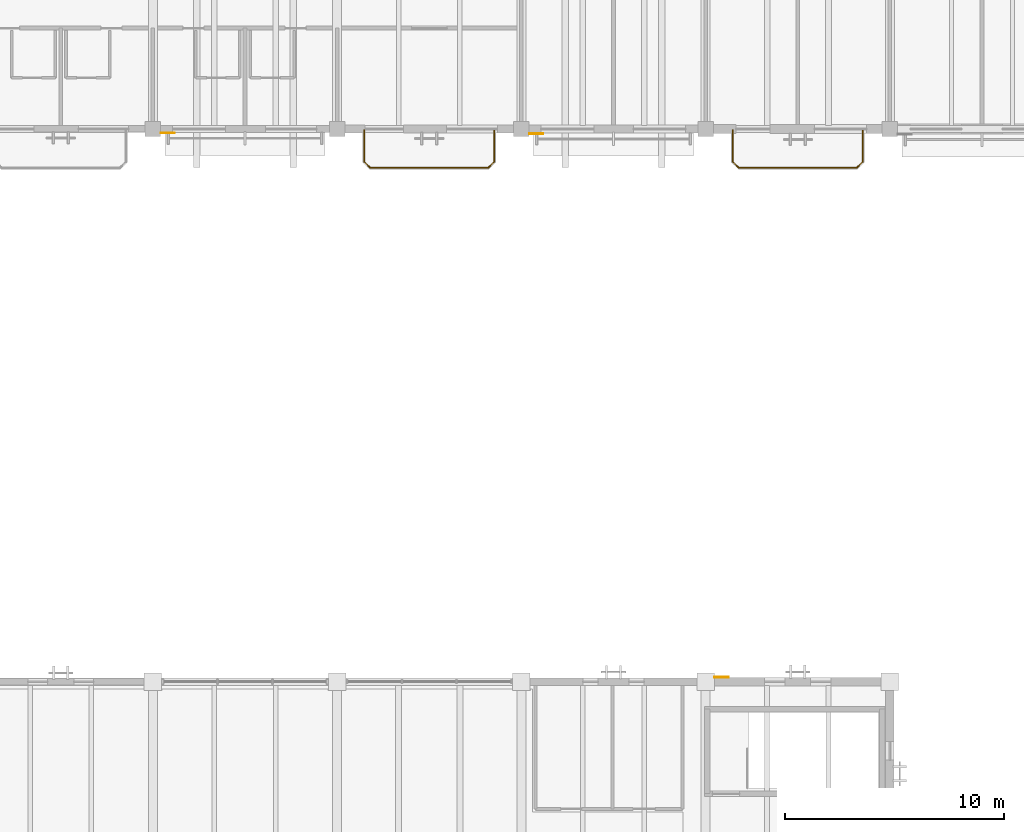
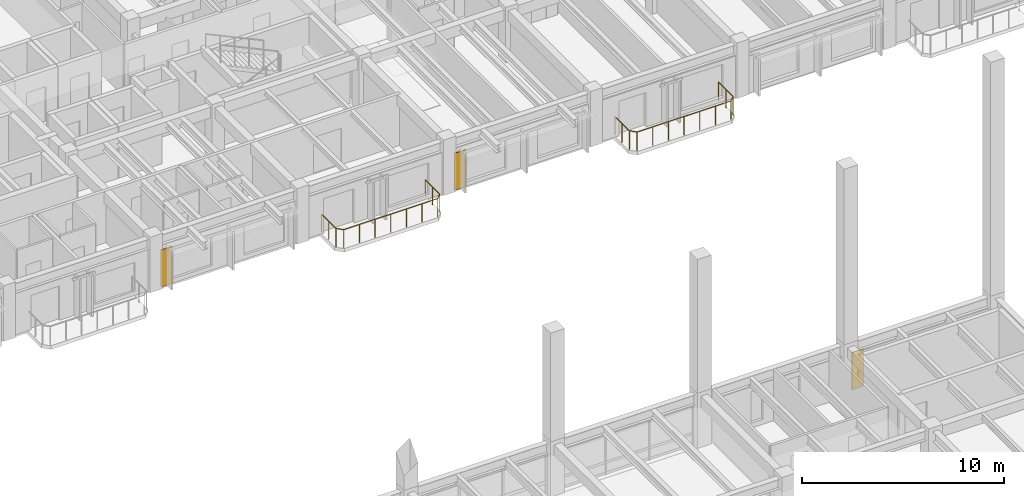
# One storey, part 59 of 64: 3 coverings, 2 railings.
"""IFC4 building model written with IfcOpenShell, lengths in metres."""

from ifc_helpers import new_model, si_unit, direction, frame, origin, origin_2d, place, context, subcontext, project, spatial, polyline, circle, outline, extrude, material, layer, layer_set, type_object, element, save


model = new_model("IFC4")

# Units and contexts
model_context = context("Model", 3, precision=1e-05, world=origin(), true_north=direction((0.0, 1.0)))
body_context = subcontext(model_context, "Body", "Model", "MODEL_VIEW")
ifc_project = project(units=[si_unit("LENGTHUNIT", "METRE"), si_unit("AREAUNIT", "SQUARE_METRE"), si_unit("VOLUMEUNIT", "CUBIC_METRE"), si_unit("PLANEANGLEUNIT", "RADIAN"), si_unit("MASSUNIT", "GRAM", prefix="KILO")], contexts=[model_context])

# Site, building, storey
site_placement = place(None, origin())
site = spatial("IfcSite", under=ifc_project, at=site_placement, CompositionType="ELEMENT")
building_placement = place(site_placement, origin())
building = spatial("IfcBuilding", under=site, at=building_placement, Name="Cumbredor Promenade Congress Hotel", CompositionType="ELEMENT")
storey_placement = place(building_placement, frame((0.0, 0.0, 18.47998046875)))
storey = spatial("IfcBuildingStorey", under=building, at=storey_placement, Name="L05", CompositionType="ELEMENT", Elevation=18.47998046875)

# Coverings
ifc_material_1 = material(Name="Precast concrete C40/50", Category="concrete")
ifc_layer_1 = layer(ifc_material_1, 0.044921875, Name="Precast concrete C40/50", Category="concrete")
ifc_layer_set_1 = layer_set([ifc_layer_1], Name="Precast concrete C40/50")
covering_type_1 = type_object("IfcCoveringType", Name="Board-Formed Architectural Cladding Panel 45mm", PredefinedType="CLADDING", material=ifc_layer_set_1)
covering_1_placement = place(storey_placement, origin())
element("IfcCovering", 1, at=covering_1_placement, inside=storey, type_object=covering_type_1, Name="L05 Facade Stone Cladding Pier 192", PredefinedType="CLADDING", context=body_context, shape_type="SweptSolid", body=[
    extrude(outline(polyline([(59.200927734375, 67.389892578125), (59.85107421875, 67.389892578125), (59.85107421875, 67.43505859375), (59.200927734375, 67.43505859375), (59.200927734375, 67.389892578125)])), origin(), (0.0, 0.0, 1.0), 2.25),
])
covering_2_placement = place(storey_placement, origin())
element("IfcCovering", 2, at=covering_2_placement, inside=storey, type_object=covering_type_1, Name="L05 Facade Stone Cladding Pier 200", PredefinedType="CLADDING", context=body_context, shape_type="SweptSolid", body=[
    extrude(outline(polyline([(50.7509765625, 92.2099609375), (51.40087890625, 92.2099609375), (51.40087890625, 92.1650390625), (50.7509765625, 92.1650390625), (50.7509765625, 92.2099609375)])), origin(), (0.0, 0.0, 1.0), 2.25),
])

# Railings
ifc_material_2 = material(Name="Brushed stainless steel", Category="steel")
railing_type_1 = type_object("IfcRailingType", Name="Sky Garden Glass-and-Steel Balustrade BAL-1150", PredefinedType="BALUSTRADE", material=ifc_material_2)
railing_1_placement = place(storey_placement, frame((60.030029296875, 92.35009765625, 0.0)))
element("IfcRailing", 3, at=railing_1_placement, inside=storey, type_object=railing_type_1, Name="L05 Veranda Balcony Balustrade 032", PredefinedType="BALUSTRADE", context=body_context, shape_type="SweptSolid", body=[
    extrude(circle(Radius=0.02392578125, at=origin_2d()), frame((0.0, 0.0, 1.1259765625), z_axis=(0.0, -1.0, 0.0), x_axis=(1.0, 0.0, 0.0)), (0.0, 0.0, 1.0), 1.440185546875),
    extrude(circle(Radius=0.02392578125, at=origin_2d()), frame((0.0, -1.440185546875, 1.1259765625), z_axis=(0.707106781187, -0.707106781187, 0.0), x_axis=(0.707106781187, 0.707106781187, 0.0)), (0.0, 0.0, 1.0), 0.39599609375),
    extrude(circle(Radius=0.02392578125, at=origin_2d()), frame((0.280029296875, -1.72021484375, 1.1259765625), z_axis=(1.0, 0.0, 0.0), x_axis=(0.0, 1.0, 0.0)), (0.0, 0.0, 1.0), 5.3798828125),
    extrude(circle(Radius=0.02392578125, at=origin_2d()), frame((5.659912109375, -1.72021484375, 1.1259765625), z_axis=(0.707106781187, 0.707106781187, 0.0), x_axis=(-0.707106781187, 0.707106781187, 0.0)), (0.0, 0.0, 1.0), 0.39599609375),
    extrude(circle(Radius=0.02392578125, at=origin_2d()), frame((5.93994140625, -1.440185546875, 1.1259765625), z_axis=(0.0, 1.0, 0.0), x_axis=(-1.0, 0.0, 0.0)), (0.0, 0.0, 1.0), 1.440185546875),
    extrude(circle(Radius=0.02099609375, at=origin_2d()), origin(), (0.0, 0.0, 1.0), 1.101806640625),
    extrude(circle(Radius=0.02099609375, at=origin_2d()), frame((0.0, -0.72021484375, 0.0)), (0.0, 0.0, 1.0), 1.101806640625),
    extrude(circle(Radius=0.02099609375, at=origin_2d()), frame((0.0, -1.440185546875, 0.0)), (0.0, 0.0, 1.0), 1.101806640625),
    extrude(circle(Radius=0.02099609375, at=origin_2d()), frame((0.280029296875, -1.72021484375, 0.0)), (0.0, 0.0, 1.0), 1.101806640625),
    extrude(circle(Radius=0.02099609375, at=origin_2d()), frame((1.1767578125, -1.72021484375, 0.0)), (0.0, 0.0, 1.0), 1.101806640625),
    extrude(circle(Radius=0.02099609375, at=origin_2d()), frame((2.0732421875, -1.72021484375, 0.0)), (0.0, 0.0, 1.0), 1.101806640625),
    extrude(circle(Radius=0.02099609375, at=origin_2d()), frame((2.969970703125, -1.72021484375, 0.0)), (0.0, 0.0, 1.0), 1.101806640625),
    extrude(circle(Radius=0.02099609375, at=origin_2d()), frame((3.86669921875, -1.72021484375, 0.0)), (0.0, 0.0, 1.0), 1.101806640625),
    extrude(circle(Radius=0.02099609375, at=origin_2d()), frame((4.76318359375, -1.72021484375, 0.0)), (0.0, 0.0, 1.0), 1.101806640625),
    extrude(circle(Radius=0.02099609375, at=origin_2d()), frame((5.659912109375, -1.72021484375, 0.0)), (0.0, 0.0, 1.0), 1.101806640625),
    extrude(circle(Radius=0.02099609375, at=origin_2d()), frame((5.93994140625, -1.440185546875, 0.0)), (0.0, 0.0, 1.0), 1.101806640625),
    extrude(circle(Radius=0.02099609375, at=origin_2d()), frame((5.93994140625, -0.72021484375, 0.0)), (0.0, 0.0, 1.0), 1.101806640625),
    extrude(circle(Radius=0.02099609375, at=origin_2d()), frame((5.93994140625, 0.0, 0.0)), (0.0, 0.0, 1.0), 1.101806640625),
])
railing_type_2 = type_object("IfcRailingType", Name="Terrace Perimeter Balustrade BAL-1120", PredefinedType="BALUSTRADE", material=ifc_material_2)
railing_2_placement = place(storey_placement, frame((43.22998046875, 92.35009765625, 0.0)))
element("IfcRailing", 4, at=railing_2_placement, inside=storey, type_object=railing_type_2, Name="L05 Veranda Balcony Balustrade 031", PredefinedType="BALUSTRADE", context=body_context, shape_type="SweptSolid", body=[
    extrude(circle(Radius=0.02392578125, at=origin_2d()), frame((0.0, 0.0, 1.09619140625), z_axis=(0.0, -1.0, 0.0), x_axis=(1.0, 0.0, 0.0)), (0.0, 0.0, 1.0), 1.440185546875),
    extrude(circle(Radius=0.02392578125, at=origin_2d()), frame((0.0, -1.440185546875, 1.09619140625), z_axis=(0.707106781187, -0.707106781187, 0.0), x_axis=(0.707106781187, 0.707106781187, 0.0)), (0.0, 0.0, 1.0), 0.39599609375),
    extrude(circle(Radius=0.02392578125, at=origin_2d()), frame((0.280029296875, -1.72021484375, 1.09619140625), z_axis=(1.0, 0.0, 0.0), x_axis=(0.0, 1.0, 0.0)), (0.0, 0.0, 1.0), 5.3798828125),
    extrude(circle(Radius=0.02392578125, at=origin_2d()), frame((5.659912109375, -1.72021484375, 1.09619140625), z_axis=(0.707106781187, 0.707106781187, 0.0), x_axis=(-0.707106781187, 0.707106781187, 0.0)), (0.0, 0.0, 1.0), 0.39599609375),
    extrude(circle(Radius=0.02392578125, at=origin_2d()), frame((5.93994140625, -1.440185546875, 1.09619140625), z_axis=(0.0, 1.0, 0.0), x_axis=(-1.0, 0.0, 0.0)), (0.0, 0.0, 1.0), 1.440185546875),
    extrude(circle(Radius=0.02099609375, at=origin_2d()), origin(), (0.0, 0.0, 1.0), 1.072021484375),
    extrude(circle(Radius=0.02099609375, at=origin_2d()), frame((0.0, -0.72021484375, 0.0)), (0.0, 0.0, 1.0), 1.072021484375),
    extrude(circle(Radius=0.02099609375, at=origin_2d()), frame((0.0, -1.440185546875, 0.0)), (0.0, 0.0, 1.0), 1.072021484375),
    extrude(circle(Radius=0.02099609375, at=origin_2d()), frame((0.280029296875, -1.72021484375, 0.0)), (0.0, 0.0, 1.0), 1.072021484375),
    extrude(circle(Radius=0.02099609375, at=origin_2d()), frame((1.1767578125, -1.72021484375, 0.0)), (0.0, 0.0, 1.0), 1.072021484375),
    extrude(circle(Radius=0.02099609375, at=origin_2d()), frame((2.0732421875, -1.72021484375, 0.0)), (0.0, 0.0, 1.0), 1.072021484375),
    extrude(circle(Radius=0.02099609375, at=origin_2d()), frame((2.969970703125, -1.72021484375, 0.0)), (0.0, 0.0, 1.0), 1.072021484375),
    extrude(circle(Radius=0.02099609375, at=origin_2d()), frame((3.86669921875, -1.72021484375, 0.0)), (0.0, 0.0, 1.0), 1.072021484375),
    extrude(circle(Radius=0.02099609375, at=origin_2d()), frame((4.76318359375, -1.72021484375, 0.0)), (0.0, 0.0, 1.0), 1.072021484375),
    extrude(circle(Radius=0.02099609375, at=origin_2d()), frame((5.659912109375, -1.72021484375, 0.0)), (0.0, 0.0, 1.0), 1.072021484375),
    extrude(circle(Radius=0.02099609375, at=origin_2d()), frame((5.93994140625, -1.440185546875, 0.0)), (0.0, 0.0, 1.0), 1.072021484375),
    extrude(circle(Radius=0.02099609375, at=origin_2d()), frame((5.93994140625, -0.72021484375, 0.0)), (0.0, 0.0, 1.0), 1.072021484375),
    extrude(circle(Radius=0.02099609375, at=origin_2d()), frame((5.93994140625, 0.0, 0.0)), (0.0, 0.0, 1.0), 1.072021484375),
])

# Covering
ifc_material_3 = material(Name="Volcanic andesite ashlar cladding", Category="masonry")
ifc_layer_2 = layer(ifc_material_3, 0.034912109375, Name="Volcanic andesite ashlar cladding", Category="masonry")
ifc_layer_set_2 = layer_set([ifc_layer_2], Name="Volcanic andesite ashlar cladding")
covering_type_2 = type_object("IfcCoveringType", Name="Volcanic Andesite Ashlar Rainscreen Cladding 35mm", PredefinedType="CLADDING", material=ifc_layer_set_2)
covering_3_placement = place(storey_placement, origin())
element("IfcCovering", 5, at=covering_3_placement, inside=storey, type_object=covering_type_2, Name="L05 Facade Stone Cladding Pier 199", PredefinedType="CLADDING", context=body_context, shape_type="SweptSolid", body=[
    extrude(outline(polyline([(33.950927734375, 92.237548828125), (34.60107421875, 92.237548828125), (34.60107421875, 92.202392578125), (33.950927734375, 92.202392578125), (33.950927734375, 92.237548828125)])), origin(), (0.0, 0.0, 1.0), 2.25),
])

save(model, "model.ifc")
